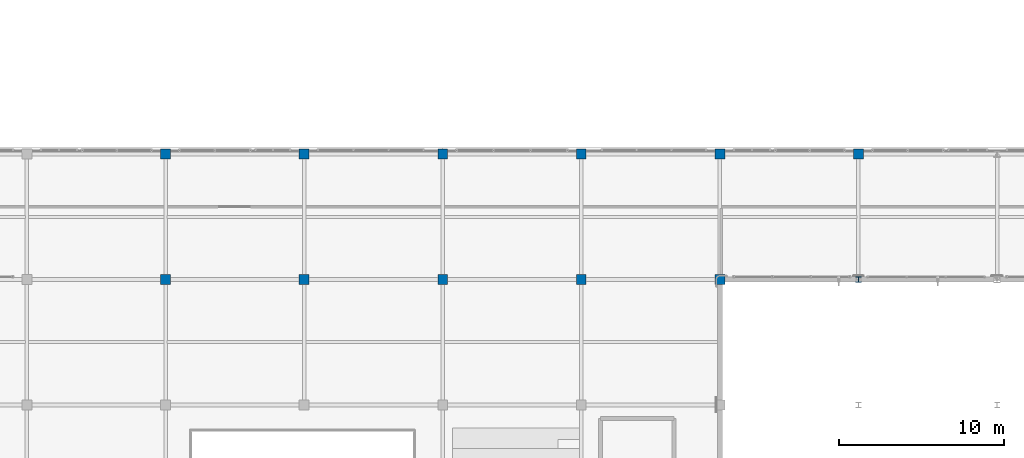
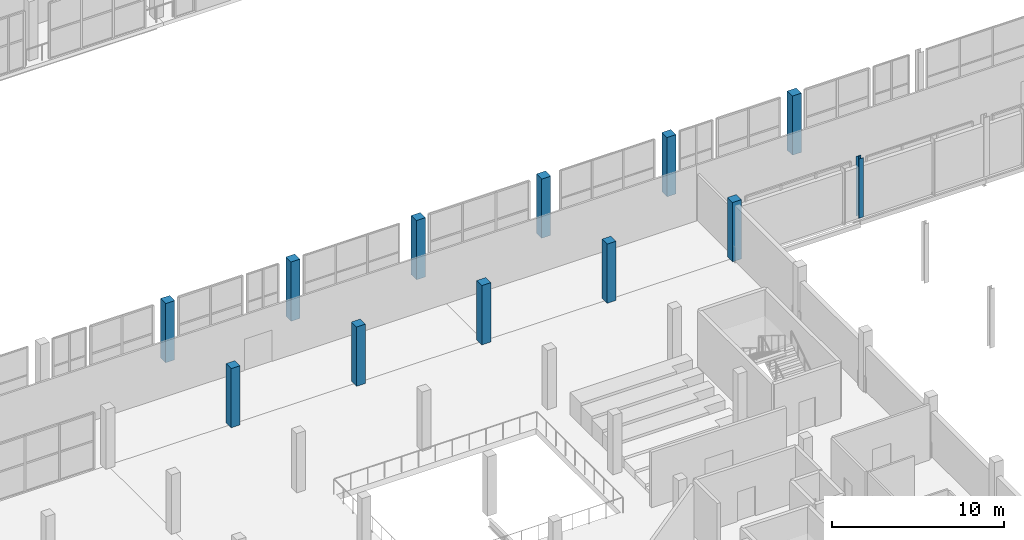
# One storey, part 6 of 217: 12 columns.
"""IFC4 building model written with IfcOpenShell, lengths in metres."""

from ifc_helpers import new_model, si_unit, direction, frame, origin, origin_2d, place, context, subcontext, project, spatial, rectangle, i_section, extrude, material, material_profile, profile_set, type_object, element, save


model = new_model("IFC4")

# Units and contexts
model_context = context("Model", 3, precision=1e-05, world=origin(), true_north=direction((0.0, 1.0)))
body_context = subcontext(model_context, "Body", "Model", "MODEL_VIEW")
ifc_project = project(units=[si_unit("LENGTHUNIT", "METRE"), si_unit("AREAUNIT", "SQUARE_METRE"), si_unit("VOLUMEUNIT", "CUBIC_METRE"), si_unit("PLANEANGLEUNIT", "RADIAN"), si_unit("MASSUNIT", "GRAM", prefix="KILO")], contexts=[model_context])

# Site, building, storey
site_placement = place(None, origin())
site = spatial("IfcSite", under=ifc_project, at=site_placement, CompositionType="ELEMENT")
building_placement = place(site_placement, origin())
building = spatial("IfcBuilding", under=site, at=building_placement, Name="Zuvorla Pavilion Media Centre", CompositionType="ELEMENT")
storey_placement = place(building_placement, frame((0.0, 0.0, 9.60009765625)))
storey = spatial("IfcBuildingStorey", under=building, at=storey_placement, Name="L02", CompositionType="ELEMENT", Elevation=9.60009765625)

# Columns
ifc_material_1 = material(Name="Concrete C40/50", Category="concrete")
ifc_material_profile_1 = material_profile(ifc_material_1, rectangle(XDim=0.60009765625, YDim=0.60009765625, at=origin_2d()), Name="RC 600x600")
ifc_profile_set_1 = profile_set([ifc_material_profile_1], Name="Concrete C40/50")
column_type_1 = type_object("IfcColumnType", Name="COL-RC600", PredefinedType="COLUMN", material=ifc_profile_set_1)
for number, where, z_axis, x_axis, name in (
    (1, (75.199951171875, 44.0, 0.0), (0.0, 0.0, 1.0), (1.0, 0.0, 0.0), "L02 column C03 516"),
    (2, (83.60009765625, 44.0, 0.0), (0.0, 0.0, 1.0), (1.0, 0.0, 0.0), "L02 column C03 522"),
    (3, (92.0, 44.0, 0.0), (0.0, 0.0, 1.0), (1.0, 0.0, 0.0), "L02 column C03 528"),
    (4, (100.39990234375, 44.0, 0.0), (0.0, 0.0, 1.0), (1.0, 0.0, 0.0), "L02 column C03 534"),
    (5, (108.800048828125, 44.0, 0.0), (0.0, 0.0, 1.0), (1.0, 0.0, 0.0), "L02 column C03 540"),
    (6, (75.199951171875, 51.60009765625, 0.0), (0.0, 0.0, 1.0), (1.0, 0.0, 0.0), "L02 column C03 611"),
    (7, (83.60009765625, 51.60009765625, 0.0), (0.0, 0.0, 1.0), (1.0, 0.0, 0.0), "L02 column C03 616"),
    (8, (92.0, 51.60009765625, 0.0), (0.0, 0.0, 1.0), (1.0, 0.0, 0.0), "L02 column C03 621"),
    (9, (100.39990234375, 51.60009765625, 0.0), (0.0, 0.0, 1.0), (1.0, 0.0, 0.0), "L02 column C03 626"),
    (10, (108.800048828125, 51.60009765625, 0.0), (0.0, 0.0, 1.0), (1.0, 0.0, 0.0), "L02 column C03 631"),
    (11, (117.199951171875, 51.60009765625, 0.0), (0.0, 0.0, 1.0), (1.0, 0.0, 0.0), "L02 column C03 636"),
):
    element("IfcColumn", number, at=place(storey_placement, frame(where, z_axis=z_axis, x_axis=x_axis)), inside=storey, type_object=column_type_1, Name=name, PredefinedType="COLUMN", context=body_context, shape_type="SweptSolid", body=[
        extrude(rectangle(XDim=0.60009765625, YDim=0.60009765625, at=origin_2d()), origin(), (0.0, 0.0, 1.0), 4.199951171875),
    ])
ifc_material_2 = material(Name="Steel S355", Category="steel")
ifc_material_profile_2 = material_profile(ifc_material_2, i_section(OverallWidth=0.30908203125, OverallDepth=0.320556640625, WebThickness=0.013916015625, FlangeThickness=0.021728515625, FilletRadius=0.01513671875, at=origin_2d()), Name="UC 305x305x137")
ifc_profile_set_2 = profile_set([ifc_material_profile_2], Name="Steel S355")
column_type_2 = type_object("IfcColumnType", Name="COL-UC305", PredefinedType="COLUMN", material=ifc_profile_set_2)
column_placement = place(storey_placement, frame((117.199951171875, 44.0, 0.0), z_axis=(0.0, 0.0, 1.0), x_axis=(1.0, 0.0, 0.0)))
element("IfcColumn", 12, at=column_placement, inside=storey, type_object=column_type_2, Name="L02 column C10 546", PredefinedType="COLUMN", context=body_context, shape_type="SweptSolid", body=[
    extrude(i_section(OverallWidth=0.30908203125, OverallDepth=0.320556640625, WebThickness=0.013916015625, FlangeThickness=0.021728515625, FilletRadius=0.01513671875, at=origin_2d()), origin(), (0.0, 0.0, 1.0), 4.199951171875),
])

save(model, "model.ifc")
